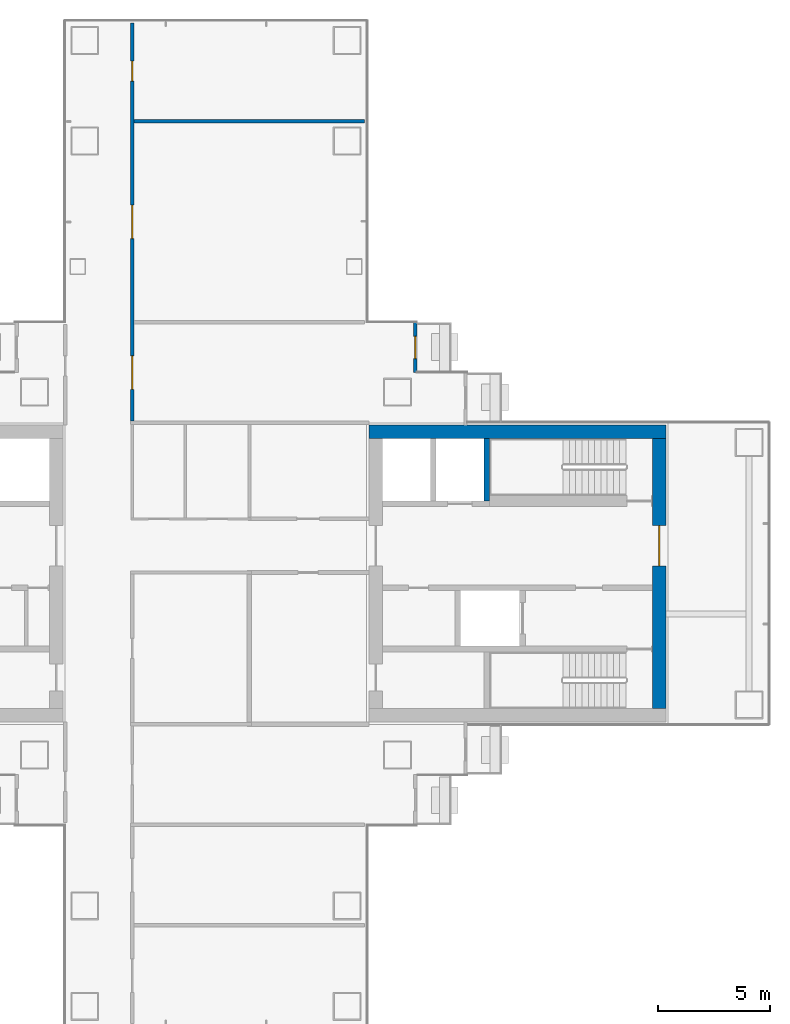
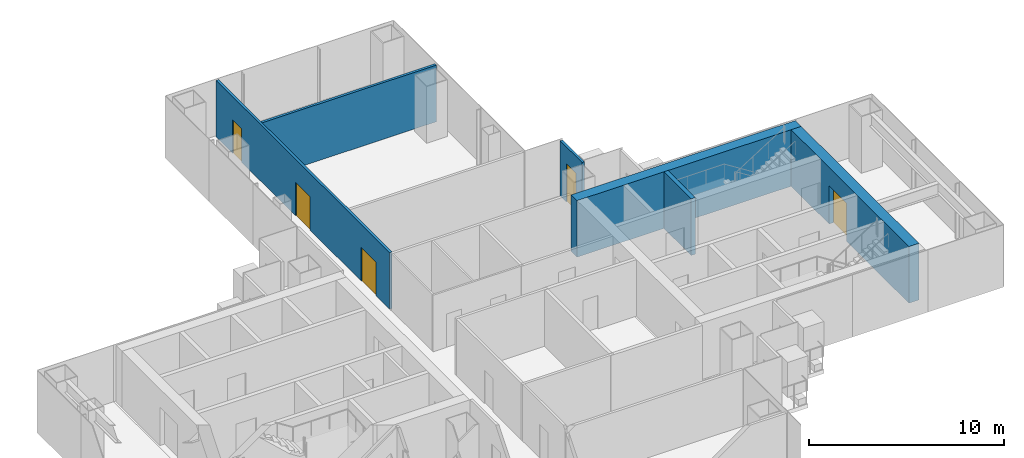
# One storey, part 16 of 20: 6 walls, 5 doors, 5 openings.
"""IFC4 building model written with IfcOpenShell, lengths in metres."""

from ifc_helpers import new_model, si_unit, direction, frame, frame_2d, origin, place, context, subcontext, project, spatial, rectangle, extrude, material, layer, layer_set, type_object, element, fill, save


model = new_model("IFC4")

# Units and contexts
model_context = context("Model", 3, precision=1e-05, world=origin(), true_north=direction((0.0, 1.0)))
body_context = subcontext(model_context, "Body", "Model", "MODEL_VIEW")
ifc_project = project(units=[si_unit("LENGTHUNIT", "METRE"), si_unit("AREAUNIT", "SQUARE_METRE"), si_unit("VOLUMEUNIT", "CUBIC_METRE"), si_unit("PLANEANGLEUNIT", "RADIAN"), si_unit("MASSUNIT", "GRAM", prefix="KILO")], contexts=[model_context])

# Site, building, storey
site_placement = place(None, origin())
site = spatial("IfcSite", under=ifc_project, at=site_placement, CompositionType="ELEMENT")
building_placement = place(site_placement, origin())
building = spatial("IfcBuilding", under=site, at=building_placement, Name="Shamsa Quay Exchange Towers", CompositionType="ELEMENT")
storey_placement = place(building_placement, frame((0.0, 0.0, 109.199951171875)))
storey = spatial("IfcBuildingStorey", under=building, at=storey_placement, Name="L25", CompositionType="ELEMENT", Elevation=109.199951171875)

# Wall, opening, door
ifc_material_1 = material(Name="Aluminium EN AW-6063 T6, black anodised, with black enamelled glass infill", Category="aluminium")
ifc_layer_1 = layer(ifc_material_1, 0.14990234375)
ifc_layer_set_1 = layer_set([ifc_layer_1], Name="BALCONY DOOR BAY WALL 150")
wall_type_1 = type_object("IfcWallType", Name="BALCONY DOOR BAY WALL 150", PredefinedType="SOLIDWALL", material=ifc_layer_set_1)
wall_1_placement = place(storey_placement, frame((42.675048828125, 11.25, 0.0), z_axis=(0.0, 0.0, 1.0), x_axis=(0.0, -1.0, 0.0)))
wall_1 = element("IfcWall", 1, at=wall_1_placement, inside=storey, type_object=wall_type_1, Name="Door bay T2-PKES L25", PredefinedType="SOLIDWALL", context=body_context, shape_type="SweptSolid", body=[
    extrude(rectangle(XDim=2.25, YDim=0.14990234375, at=frame_2d((1.125, 0.0))), origin(), (0.0, 0.0, 1.0), 3.449951171875),
])
opening_1_placement = place(wall_1_placement, frame((0.625, 0.0, 0.0)))
opening_1 = element("IfcOpeningElement", 2, at=opening_1_placement, cuts=wall_1, Name="Opening XD163", PredefinedType="OPENING", context=body_context, shape_type="SweptSolid", body=[
    extrude(rectangle(XDim=1.0, YDim=2.39990234375, at=frame_2d((0.5, 1.199951171875))), frame((0.0, 0.0849609375, 0.0), z_axis=(0.0, -1.0, 0.0), x_axis=(1.0, 0.0, 0.0)), (0.0, 0.0, 1.0), 0.169921875),
])
ifc_material_2 = material(Name="Aluminium EN AW-6063 T6, black anodised, with laminated glass leaf", Category="aluminium")
door_type_1 = type_object("IfcDoorType", Name="BALCONY DOOR 1000x2400", OperationType="SINGLE_SWING_LEFT", PredefinedType="DOOR", material=ifc_material_2)
door_1_placement = place(opening_1_placement, origin())
door_1 = element("IfcDoor", 3, at=door_1_placement, inside=storey, type_object=door_type_1, Name="Balcony door T2-PKES L25", OperationType="SINGLE_SWING_RIGHT", OverallHeight=2.39990234375, OverallWidth=1.0, PredefinedType="DOOR", context=body_context, shape_type="SweptSolid", body=[
    extrude(rectangle(XDim=1.0, YDim=2.39990234375, at=frame_2d((0.5, 1.199951171875))), frame((0.0, 0.02490234375, 0.0), z_axis=(0.0, -1.0, 0.0), x_axis=(1.0, 0.0, 0.0)), (0.0, 0.0, 1.0), 0.050048828125),
])
fill(opening_1, door_1)

# Wall
ifc_material_3 = material(Name="Concrete C70/85", Category="concrete")
ifc_layer_2 = layer(ifc_material_3, 0.60009765625)
ifc_layer_set_2 = layer_set([ifc_layer_2], Name="CORE WALL 600 C70/85")
wall_type_2 = type_object("IfcWallType", Name="CORE WALL 600 C70/85", PredefinedType="SHEAR", material=ifc_layer_set_2)
wall_2_placement = place(storey_placement, frame((53.89990234375, 6.35009765625, 0.0), z_axis=(0.0, 0.0, 1.0), x_axis=(-1.0, 0.0, 0.0)))
element("IfcWall", 4, at=wall_2_placement, inside=storey, type_object=wall_type_2, Name="Core wall T2B-R11-PN", PredefinedType="SHEAR", context=body_context, shape_type="SweptSolid", body=[
    extrude(rectangle(XDim=13.2998046875, YDim=0.60009765625, at=frame_2d((6.64990234375, 0.0))), origin(), (0.0, 0.0, 1.0), 3.550048828125),
])

# Wall, opening, door
wall_3_placement = place(storey_placement, frame((53.60009765625, -6.050048828125, 0.0), z_axis=(0.0, 0.0, 1.0), x_axis=(0.0, 1.0, 0.0)))
wall_3 = element("IfcWall", 5, at=wall_3_placement, inside=storey, type_object=wall_type_2, Name="Core wall T2B-R11-PF", PredefinedType="SHEAR", context=body_context, shape_type="SweptSolid", body=[
    extrude(rectangle(XDim=12.10009765625, YDim=0.60009765625, at=frame_2d((6.050048828125, 0.0))), origin(), (0.0, 0.0, 1.0), 3.550048828125),
])
opening_2_placement = place(wall_3_placement, frame((6.39990234375, 0.0, 0.0)))
opening_2 = element("IfcOpeningElement", 6, at=opening_2_placement, cuts=wall_3, Name="Opening T2B-R11-LBD01", PredefinedType="OPENING", context=body_context, shape_type="SweptSolid", body=[
    extrude(rectangle(XDim=1.800048828125, YDim=2.39990234375, at=frame_2d((0.89990234375, 1.199951171875))), frame((0.0, 0.31005859375, 0.0), z_axis=(0.0, -1.0, 0.0), x_axis=(1.0, 0.0, 0.0)), (0.0, 0.0, 1.0), 0.6201171875),
])
ifc_material_4 = material(Name="Steel, fire rated", Category="steel")
door_type_2 = type_object("IfcDoorType", Name="LIFT LOBBY DOOR PAIR 1800", OperationType="DOUBLE_DOOR_SINGLE_SWING", PredefinedType="DOOR", material=ifc_material_4)
door_2_placement = place(opening_2_placement, origin())
door_2 = element("IfcDoor", 7, at=door_2_placement, inside=storey, type_object=door_type_2, Name="T2B-R11-LBD01", OperationType="DOUBLE_DOOR_SINGLE_SWING", OverallHeight=2.39990234375, OverallWidth=1.800048828125, PredefinedType="DOOR", context=body_context, shape_type="SweptSolid", body=[
    extrude(rectangle(XDim=1.800048828125, YDim=2.39990234375, at=frame_2d((0.89990234375, 1.199951171875))), frame((0.0, 0.02490234375, 0.0), z_axis=(0.0, -1.0, 0.0), x_axis=(1.0, 0.0, 0.0)), (0.0, 0.0, 1.0), 0.050048828125),
])
fill(opening_2, door_2)

# Wall, openings, doors
ifc_material_5 = material(Name="Gypsum board partition on metal studs")
ifc_layer_3 = layer(ifc_material_5, 0.14990234375)
ifc_layer_set_3 = layer_set([ifc_layer_3], Name="Partition 150 mm EI 60")
wall_type_3 = type_object("IfcWallType", Name="Partition 150 mm EI 60", PredefinedType="PARTITIONING", material=ifc_layer_set_3)
wall_4_placement = place(storey_placement, frame((30.0, 24.655029296875, 0.0), z_axis=(0.0, 0.0, 1.0), x_axis=(0.0, -1.0, 0.0)))
wall_4 = element("IfcWall", 8, at=wall_4_placement, inside=storey, type_object=wall_type_3, Name="Partition T2-R11-W03", PredefinedType="PARTITIONING", context=body_context, shape_type="SweptSolid", body=[
    extrude(rectangle(XDim=17.830078125, YDim=0.14990234375, at=frame_2d((8.9150390625, 0.0))), origin(), (0.0, 0.0, 1.0), 3.550048828125),
])
opening_3_placement = place(wall_4_placement, frame((14.905029296875, 0.0, 0.0)))
opening_3 = element("IfcOpeningElement", 9, at=opening_3_placement, cuts=wall_4, Name="Opening T2-R11-D09", PredefinedType="OPENING", context=body_context, shape_type="SweptSolid", body=[
    extrude(rectangle(XDim=1.5, YDim=2.10009765625, at=frame_2d((0.75, 1.050048828125))), frame((0.0, 0.0849609375, 0.0), z_axis=(0.0, -1.0, 0.0), x_axis=(1.0, 0.0, 0.0)), (0.0, 0.0, 1.0), 0.169921875),
])
opening_4_placement = place(wall_4_placement, frame((8.155029296875, 0.0, 0.0)))
opening_4 = element("IfcOpeningElement", 10, at=opening_4_placement, cuts=wall_4, Name="Opening T2-R11-D10", PredefinedType="OPENING", context=body_context, shape_type="SweptSolid", body=[
    extrude(rectangle(XDim=1.5, YDim=2.10009765625, at=frame_2d((0.75, 1.050048828125))), frame((0.0, 0.0849609375, 0.0), z_axis=(0.0, -1.0, 0.0), x_axis=(1.0, 0.0, 0.0)), (0.0, 0.0, 1.0), 0.169921875),
])
opening_5_placement = place(wall_4_placement, frame((1.705078125, 0.0, 0.0)))
opening_5 = element("IfcOpeningElement", 11, at=opening_5_placement, cuts=wall_4, Name="Opening T2-R11-D11", PredefinedType="OPENING", context=body_context, shape_type="SweptSolid", body=[
    extrude(rectangle(XDim=0.89990234375, YDim=2.10009765625, at=frame_2d((0.449951171875, 1.050048828125))), frame((0.0, 0.0849609375, 0.0), z_axis=(0.0, -1.0, 0.0), x_axis=(1.0, 0.0, 0.0)), (0.0, 0.0, 1.0), 0.169921875),
])
ifc_material_6 = material(Name="Timber door leaf in a metal frame", Category="wood")
door_type_3 = type_object("IfcDoorType", Name="Door 1500x2100 FD30S pair", OperationType="NOTDEFINED", PredefinedType="DOOR", material=ifc_material_6)
door_3_placement = place(opening_3_placement, origin())
door_3 = element("IfcDoor", 12, at=door_3_placement, inside=storey, type_object=door_type_3, Name="Door T2-R11-D09", OperationType="DOUBLE_DOOR_SINGLE_SWING", OverallHeight=2.10009765625, OverallWidth=1.5, PredefinedType="DOOR", context=body_context, shape_type="SweptSolid", body=[
    extrude(rectangle(XDim=1.5, YDim=2.10009765625, at=frame_2d((0.75, 1.050048828125))), frame((0.0, 0.02490234375, 0.0), z_axis=(0.0, -1.0, 0.0), x_axis=(1.0, 0.0, 0.0)), (0.0, 0.0, 1.0), 0.050048828125),
])
fill(opening_3, door_3)
door_4_placement = place(opening_4_placement, origin())
door_4 = element("IfcDoor", 13, at=door_4_placement, inside=storey, type_object=door_type_3, Name="Door T2-R11-D10", OperationType="DOUBLE_DOOR_SINGLE_SWING", OverallHeight=2.10009765625, OverallWidth=1.5, PredefinedType="DOOR", context=body_context, shape_type="SweptSolid", body=[
    extrude(rectangle(XDim=1.5, YDim=2.10009765625, at=frame_2d((0.75, 1.050048828125))), frame((0.0, 0.02490234375, 0.0), z_axis=(0.0, -1.0, 0.0), x_axis=(1.0, 0.0, 0.0)), (0.0, 0.0, 1.0), 0.050048828125),
])
fill(opening_4, door_4)
door_type_4 = type_object("IfcDoorType", Name="Door 900x2100 FD30S", OperationType="NOTDEFINED", PredefinedType="DOOR", material=ifc_material_6)
door_5_placement = place(opening_5_placement, origin())
door_5 = element("IfcDoor", 14, at=door_5_placement, inside=storey, type_object=door_type_4, Name="Door T2-R11-D11", OperationType="SINGLE_SWING_LEFT", OverallHeight=2.10009765625, OverallWidth=0.89990234375, PredefinedType="DOOR", context=body_context, shape_type="SweptSolid", body=[
    extrude(rectangle(XDim=0.89990234375, YDim=2.10009765625, at=frame_2d((0.449951171875, 1.050048828125))), frame((0.0, 0.02490234375, 0.0), z_axis=(0.0, -1.0, 0.0), x_axis=(1.0, 0.0, 0.0)), (0.0, 0.0, 1.0), 0.050048828125),
])
fill(opening_5, door_5)

# Walls
wall_5_placement = place(storey_placement, frame((40.405029296875, 20.25, 0.0), z_axis=(0.0, 0.0, 1.0), x_axis=(-1.0, 0.0, 0.0)))
element("IfcWall", 15, at=wall_5_placement, inside=storey, type_object=wall_type_3, Name="Partition T2-R11-W14", PredefinedType="PARTITIONING", context=body_context, shape_type="SweptSolid", body=[
    extrude(rectangle(XDim=10.330078125, YDim=0.14990234375, at=frame_2d((5.1650390625, 0.0))), origin(), (0.0, 0.0, 1.0), 3.550048828125),
])
ifc_material_7 = material(Name="Concrete C50/60", Category="concrete")
ifc_layer_4 = layer(ifc_material_7, 0.25)
ifc_layer_set_4 = layer_set([ifc_layer_4], Name="SHAFT WALL 250 C50/60")
wall_type_4 = type_object("IfcWallType", Name="SHAFT WALL 250 C50/60", PredefinedType="SHEAR", material=ifc_layer_set_4)
wall_6_placement = place(storey_placement, frame((45.875, 3.25, 0.0), z_axis=(0.0, 0.0, 1.0), x_axis=(0.0, 1.0, 0.0)))
element("IfcWall", 16, at=wall_6_placement, inside=storey, type_object=wall_type_4, Name="Shaft wall T2B-R11-STF2", PredefinedType="SHEAR", context=body_context, shape_type="SweptSolid", body=[
    extrude(rectangle(XDim=2.800048828125, YDim=0.25, at=frame_2d((1.39990234375, 0.0))), origin(), (0.0, 0.0, 1.0), 3.550048828125),
])

save(model, "model.ifc")
